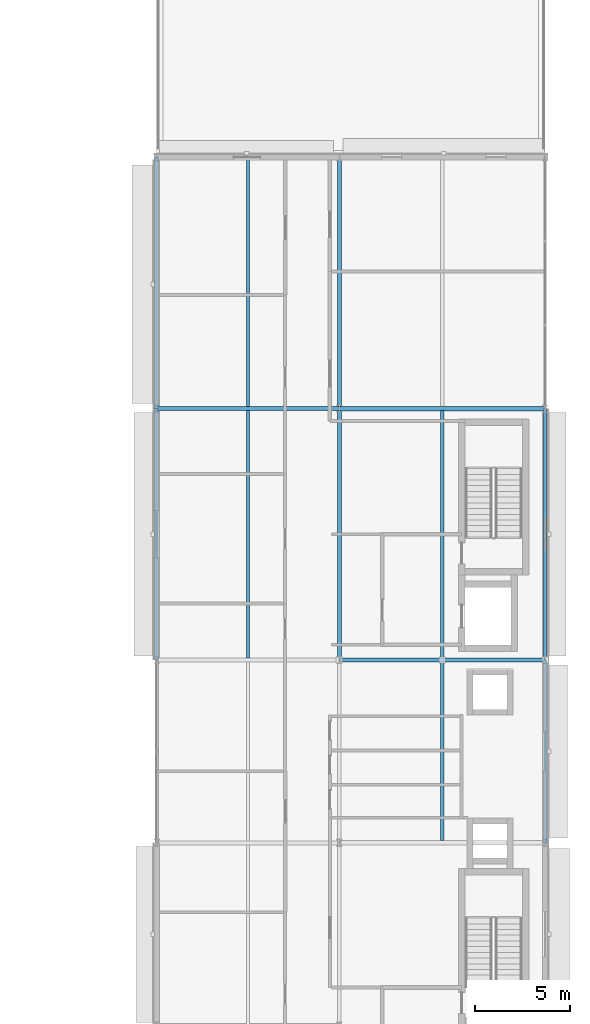
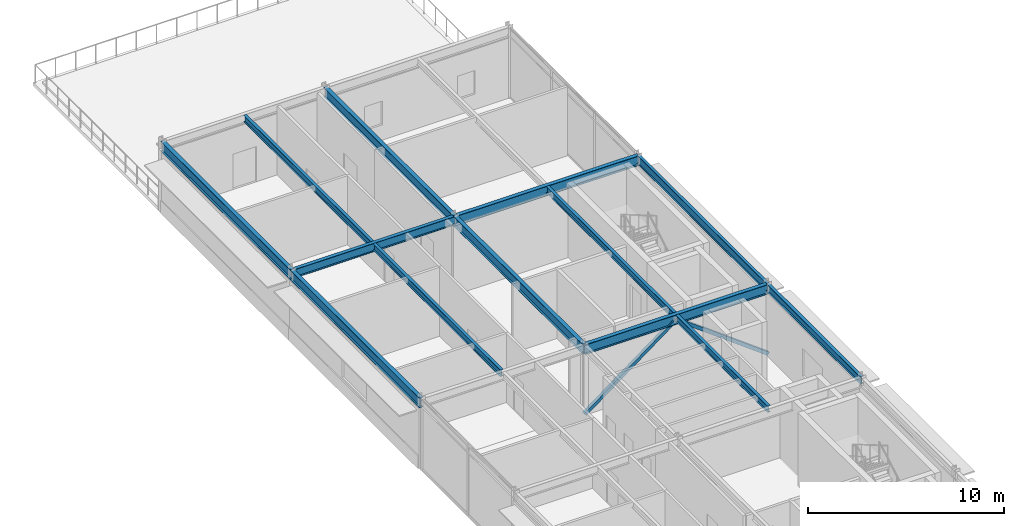
# One storey, part 8 of 22: 13 beams, 2 members.
"""IFC4 building model written with IfcOpenShell, lengths in metres."""

import ifcopenshell
import ifcopenshell.guid

model = None  # the IFC model being written
_history = None  # IfcOwnerHistory: only IFC2X3 demands one
_inside = {}  # id of a spatial element -> (the spatial element, [elements in it])
_under = {}  # id of a project, library or spatial element -> (it, [spatial elements below it])
_declared = {}  # id of a project -> (the project, [libraries it declares])
_typed = {}  # id of a type object -> (the type object, [elements of that type])
_made_of = {}  # id of a material, layer set ... -> (it, [elements and type objects made of it])


def new_model(schema):
    """Start an empty IFC model of exactly this schema.

    Asked for "IFC4X3", IfcOpenShell would pick the latest addendum, in which some entities
    have other attributes; the version numbers below select the first issue.
    IFC2X3 requires an IfcOwnerHistory on every rooted entity: one is made here for all.
    """
    global model, _history
    if schema == "IFC4X3":
        model = ifcopenshell.file(schema_version=(4, 3, 0, 0))
    else:
        model = ifcopenshell.file(schema=schema)
    _inside.clear()
    _under.clear()
    _declared.clear()
    _typed.clear()
    _made_of.clear()
    _history = None
    if model.schema == "IFC2X3":
        org = make("IfcOrganization", Name="unknown")
        user = make(
            "IfcPersonAndOrganization",
            ThePerson=make("IfcPerson", FamilyName="unknown"),
            TheOrganization=org,
        )
        app = make(
            "IfcApplication",
            ApplicationDeveloper=org,
            Version="unknown",
            ApplicationFullName="unknown",
            ApplicationIdentifier="unknown",
        )
        _history = make(
            "IfcOwnerHistory",
            OwningUser=user,
            OwningApplication=app,
            ChangeAction="ADDED",
            CreationDate=0,
        )
    return model


def make(cls, **values):
    """One entity of the class cls with the attributes given. An attribute that is None is left unset."""
    return model.create_entity(
        cls, **{name: value for name, value in values.items() if value is not None}
    )


def rooted(cls, **values):
    """An entity with a GlobalId (a new one), such as an element, a storey or a relation."""
    return make(cls, GlobalId=ifcopenshell.guid.new(), OwnerHistory=_history, **values)


def si_unit(unit_type, name, prefix=None):
    """IfcSIUnit, for example si_unit("LENGTHUNIT", "METRE", prefix="MILLI")."""
    return make("IfcSIUnit", UnitType=unit_type, Prefix=prefix, Name=name)


def assignment(units):
    """IfcUnitAssignment: the units of a project."""
    return None if units is None else make("IfcUnitAssignment", Units=units)


def point(xyz):
    """IfcCartesianPoint."""
    return None if xyz is None else make("IfcCartesianPoint", Coordinates=xyz)


def direction(xyz):
    """IfcDirection."""
    return None if xyz is None else make("IfcDirection", DirectionRatios=xyz)


def frame(location, z_axis=None, x_axis=None):
    """IfcAxis2Placement3D, a coordinate frame: its origin and axes. An axis left out is left unset."""
    return make(
        "IfcAxis2Placement3D",
        Location=point(location),
        Axis=direction(z_axis),
        RefDirection=direction(x_axis),
    )


def frame_2d(location, x_axis=None):
    """IfcAxis2Placement2D, a coordinate frame in the plane: its origin and x axis."""
    return make(
        "IfcAxis2Placement2D", Location=point(location), RefDirection=direction(x_axis)
    )


def origin():
    """The frame at (0, 0, 0) with its axes left unset."""
    return frame((0.0, 0.0, 0.0))


def origin_2d():
    """The frame at (0, 0) in the plane with its x axis left unset."""
    return frame_2d((0.0, 0.0))


def place(relative_to, where):
    """IfcLocalPlacement: puts the frame where relative to a parent placement (None: the world)."""
    return make(
        "IfcLocalPlacement", PlacementRelTo=relative_to, RelativePlacement=where
    )


def context(
    kind, dimensions, precision=None, world=None, true_north=None, identifier=None
):
    """IfcGeometricRepresentationContext, for example the 3D "Model" context."""
    return make(
        "IfcGeometricRepresentationContext",
        ContextIdentifier=identifier,
        ContextType=kind,
        CoordinateSpaceDimension=dimensions,
        Precision=precision,
        WorldCoordinateSystem=world,
        TrueNorth=true_north,
    )


def subcontext(parent, identifier, kind, view, scale=None):
    """IfcGeometricRepresentationSubContext, for example "Body" below "Model"."""
    return make(
        "IfcGeometricRepresentationSubContext",
        ContextIdentifier=identifier,
        ContextType=kind,
        ParentContext=parent,
        TargetScale=scale,
        TargetView=view,
    )


def project(units=None, contexts=None):
    """IfcProject with its units and contexts."""
    return rooted(
        "IfcProject",
        Name="project",
        RepresentationContexts=contexts,
        UnitsInContext=assignment(units),
    )


def spatial(cls, under=None, at=None, **own):
    """A site, building, storey or space (cls), placed at a placement, below another one or the project."""
    s = rooted(cls, ObjectPlacement=at, **own)
    if under is not None:
        _under.setdefault(under.id(), (under, []))[1].append(s)
    return s


def profile(cls, at=None, kind="AREA", **sizes):
    """A parametric profile (cls). Its sizes go by their IFC names, for example OverallWidth=200.0."""
    return make(cls, ProfileType=kind, Position=at, **sizes)


def hollow_rectangle(**sizes):
    """IfcRectangleHollowProfileDef."""
    return profile("IfcRectangleHollowProfileDef", **sizes)


def i_section(**sizes):
    """IfcIShapeProfileDef."""
    return profile("IfcIShapeProfileDef", **sizes)


def extrude(swept, where, along, depth):
    """IfcExtrudedAreaSolid: the profile swept, set in the frame where, extruded along a direction by depth."""
    return make(
        "IfcExtrudedAreaSolid",
        SweptArea=swept,
        Position=where,
        ExtrudedDirection=direction(along),
        Depth=depth,
    )


def shape(context_of_items, identifier, shape_type, items):
    """IfcShapeRepresentation: the items that make up one representation, for example the "Body"."""
    return make(
        "IfcShapeRepresentation",
        ContextOfItems=context_of_items,
        RepresentationIdentifier=identifier,
        RepresentationType=shape_type,
        Items=items,
    )


def material(Name=None, Category=None):
    """IfcMaterial."""
    return make("IfcMaterial", Name=Name, Category=Category)


def material_profile(
    of_material, cross_section, Name=None, Category=None, Priority=None
):
    """IfcMaterialProfile: a cross section and its material."""
    return make(
        "IfcMaterialProfile",
        Name=Name,
        Material=of_material,
        Profile=cross_section,
        Priority=Priority,
        Category=Category,
    )


def profile_set(profiles, Name=None, composite=None):
    """IfcMaterialProfileSet."""
    return make(
        "IfcMaterialProfileSet",
        Name=Name,
        MaterialProfiles=profiles,
        CompositeProfile=composite,
    )


def made_of(thing, what):
    """Note that an element or type object is made of a material, layer set ...; save() writes the relation."""
    if what is not None:
        _made_of.setdefault(what.id(), (what, []))[1].append(thing)
    return thing


def type_object(cls, material=None, **own):
    """A type object (cls), such as IfcWallType, which elements share."""
    return made_of(rooted(cls, **own), material)


def element(
    cls,
    number,
    at=None,
    inside=None,
    cuts=None,
    type_object=None,
    material=None,
    context=None,
    identifier="Body",
    shape_type=None,
    held_by="IfcProductDefinitionShape",
    body=None,
    shapes=None,
    **own,
):
    """One element of the class cls, such as IfcWall. Its Tag is "e" and its number.

    at: its placement. inside: the storey or other place that contains it. cuts: it is an
    opening in that element (IfcRelVoidsElement). A single representation is given by context,
    identifier, shape_type and body (its items); several are given by shapes. held_by: the class
    of the entity that holds the representations. save() writes the other relations.
    """
    e = rooted(cls, Tag="e%d" % number, ObjectPlacement=at, **own)
    if body is not None:
        shapes = [shape(context, identifier, shape_type, body)]
    if shapes is not None:
        e.Representation = make(held_by, Representations=shapes)
    if inside is not None:
        _inside.setdefault(inside.id(), (inside, []))[1].append(e)
    if cuts is not None:
        rooted(
            "IfcRelVoidsElement", RelatingBuildingElement=cuts, RelatedOpeningElement=e
        )
    if type_object is not None:
        _typed.setdefault(type_object.id(), (type_object, []))[1].append(e)
    return made_of(e, material)


def aggregate(whole, parts):
    """IfcRelAggregates: a whole, such as a stair, and the parts it consists of."""
    return rooted("IfcRelAggregates", RelatingObject=whole, RelatedObjects=parts)


def save(model, path):
    """Write the relations noted so far, then the file.

    IfcRelAggregates (storeys below a building ...), IfcRelContainedInSpatialStructure (elements
    in a storey), IfcRelDefinesByType, IfcRelAssociatesMaterial and IfcRelDeclares: one each for
    every whole, place, type object, material and project.
    """
    for whole, parts in _under.values():
        aggregate(whole, parts)
    for where, things in _inside.values():
        rooted(
            "IfcRelContainedInSpatialStructure",
            RelatedElements=things,
            RelatingStructure=where,
        )
    for kind, things in _typed.values():
        rooted("IfcRelDefinesByType", RelatedObjects=things, RelatingType=kind)
    for what, things in _made_of.values():
        rooted("IfcRelAssociatesMaterial", RelatedObjects=things, RelatingMaterial=what)
    for by, libraries in _declared.values():
        rooted("IfcRelDeclares", RelatingContext=by, RelatedDefinitions=libraries)
    model.write(path)


model = new_model("IFC4")

# Units and contexts
model_context = context("Model", 3, precision=1e-05, world=origin(), true_north=direction((0.0, 1.0)))
body_context = subcontext(model_context, "Body", "Model", "MODEL_VIEW")
ifc_project = project(units=[si_unit("LENGTHUNIT", "METRE"), si_unit("AREAUNIT", "SQUARE_METRE"), si_unit("VOLUMEUNIT", "CUBIC_METRE"), si_unit("PLANEANGLEUNIT", "RADIAN"), si_unit("MASSUNIT", "GRAM", prefix="KILO")], contexts=[model_context])

# Site, building, storey
site_placement = place(None, origin())
site = spatial("IfcSite", under=ifc_project, at=site_placement, CompositionType="ELEMENT")
building_placement = place(site_placement, origin())
building = spatial("IfcBuilding", under=site, at=building_placement, Name="Almandine Court Research Institute", CompositionType="ELEMENT")
storey_placement = place(building_placement, frame((0.0, 0.0, 28.0)))
storey = spatial("IfcBuildingStorey", under=building, at=storey_placement, Name="L06", CompositionType="ELEMENT", Elevation=28.0)

# Beams
ifc_material_1 = material(Name="Steel ASTM A992 Grade 50", Category="steel")
ifc_material_profile_1 = material_profile(ifc_material_1, i_section(OverallWidth=0.178955078125, OverallDepth=0.409912109375, WebThickness=0.009033203125, FlangeThickness=0.013916015625, at=origin_2d()), Name="W410x67")
ifc_profile_set_1 = profile_set([ifc_material_profile_1], Name="Steel ASTM A992 Grade 50")
beam_type_1 = type_object("IfcBeamType", Name="Beam-B-02", PredefinedType="JOIST", material=ifc_profile_set_1)
beam_1_placement = place(storey_placement, frame((168.60009765625, 34.9130859375, 4.179931640625), z_axis=(0.0, 1.0, 0.0), x_axis=(-1.0, 0.0, 0.0)))
element("IfcBeam", 1, at=beam_1_placement, inside=storey, type_object=beam_type_1, Name="L06 V4 Composite Secondary Beam", PredefinedType="JOIST", context=body_context, shape_type="SweptSolid", body=[
    extrude(i_section(OverallWidth=0.178955078125, OverallDepth=0.409912109375, WebThickness=0.009033203125, FlangeThickness=0.013916015625, at=origin_2d()), origin(), (0.0, 0.0, 1.0), 9.3740234375),
])
beam_2_placement = place(storey_placement, frame((158.39990234375, 44.5029296875, 4.179931640625), z_axis=(0.0, 1.0, 0.0), x_axis=(-1.0, 0.0, 0.0)))
element("IfcBeam", 2, at=beam_2_placement, inside=storey, type_object=beam_type_1, Name="L06 V4 Composite Secondary Beam", PredefinedType="JOIST", context=body_context, shape_type="SweptSolid", body=[
    extrude(i_section(OverallWidth=0.178955078125, OverallDepth=0.409912109375, WebThickness=0.009033203125, FlangeThickness=0.013916015625, at=origin_2d()), origin(), (0.0, 0.0, 1.0), 12.994140625),
])
beam_3_placement = place(storey_placement, frame((168.60009765625, 44.512939453125, 4.179931640625), z_axis=(0.0, 1.0, 0.0), x_axis=(-1.0, 0.0, 0.0)))
element("IfcBeam", 3, at=beam_3_placement, inside=storey, type_object=beam_type_1, Name="L06 V4 Composite Secondary Beam", PredefinedType="JOIST", context=body_context, shape_type="SweptSolid", body=[
    extrude(i_section(OverallWidth=0.178955078125, OverallDepth=0.409912109375, WebThickness=0.009033203125, FlangeThickness=0.013916015625, at=origin_2d()), origin(), (0.0, 0.0, 1.0), 12.97412109375),
])
beam_4_placement = place(storey_placement, frame((158.39990234375, 57.702880859375, 4.179931640625), z_axis=(0.0, 1.0, 0.0), x_axis=(-1.0, 0.0, 0.0)))
element("IfcBeam", 4, at=beam_4_placement, inside=storey, type_object=beam_type_1, Name="L06 V4 Composite Secondary Beam", PredefinedType="JOIST", context=body_context, shape_type="SweptSolid", body=[
    extrude(i_section(OverallWidth=0.178955078125, OverallDepth=0.409912109375, WebThickness=0.009033203125, FlangeThickness=0.013916015625, at=origin_2d()), origin(), (0.0, 0.0, 1.0), 12.994140625),
])
ifc_material_profile_2 = material_profile(ifc_material_1, i_section(OverallWidth=0.22998046875, OverallDepth=0.616943359375, WebThickness=0.012939453125, FlangeThickness=0.02197265625, at=origin_2d()), Name="W610x140")
ifc_profile_set_2 = profile_set([ifc_material_profile_2], Name="Steel ASTM A992 Grade 50")
beam_type_2 = type_object("IfcBeamType", Name="Beam-G-02", PredefinedType="BEAM", material=ifc_profile_set_2)
for number, where, z_axis, x_axis, name in (
    (5, (163.199951171875, 44.39990234375, 4.075927734375), (1.0, 0.0, 0.0), (0.0, 1.0, 0.0), "L06 V4 Primary X Girder"),
    (6, (163.199951171875, 57.60009765625, 4.075927734375), (1.0, 0.0, 0.0), (0.0, 1.0, 0.0), "L06 V4 Primary X Girder"),
):
    element("IfcBeam", number, at=place(storey_placement, frame(where, z_axis=z_axis, x_axis=x_axis)), inside=storey, type_object=beam_type_2, Name=name, PredefinedType="BEAM", context=body_context, shape_type="SweptSolid", body=[
        extrude(i_section(OverallWidth=0.22998046875, OverallDepth=0.616943359375, WebThickness=0.012939453125, FlangeThickness=0.02197265625, at=origin_2d()), origin(), (0.0, 0.0, 1.0), 10.800048828125),
    ])
ifc_material_profile_3 = material_profile(ifc_material_1, i_section(OverallWidth=0.22802734375, OverallDepth=0.60791015625, WebThickness=0.010986328125, FlangeThickness=0.01708984375, at=origin_2d()), Name="W610x113")
ifc_profile_set_3 = profile_set([ifc_material_profile_3], Name="Steel ASTM A992 Grade 50")
beam_type_3 = type_object("IfcBeamType", Name="Beam-G-03", PredefinedType="BEAM", material=ifc_profile_set_3)
for number, where, z_axis, x_axis, name in (
    (7, (153.60009765625, 44.39990234375, 4.0810546875), (0.0, 1.0, 0.0), (-1.0, 0.0, 0.0), "L06 V4 Primary Y Girder"),
    (8, (163.199951171875, 44.39990234375, 4.0810546875), (0.0, 1.0, 0.0), (-1.0, 0.0, 0.0), "L06 V4 Primary Y Girder"),
):
    element("IfcBeam", number, at=place(storey_placement, frame(where, z_axis=z_axis, x_axis=x_axis)), inside=storey, type_object=beam_type_3, Name=name, PredefinedType="BEAM", context=body_context, shape_type="SweptSolid", body=[
        extrude(i_section(OverallWidth=0.22802734375, OverallDepth=0.60791015625, WebThickness=0.010986328125, FlangeThickness=0.01708984375, at=origin_2d()), origin(), (0.0, 0.0, 1.0), 13.2001953125),
    ])
for number, where, z_axis, x_axis, name in (
    (9, (153.60009765625, 57.60009765625, 4.0810546875), (0.0, 1.0, 0.0), (-1.0, 0.0, 0.0), "L06 V4 Primary Y Girder"),
    (10, (163.199951171875, 57.60009765625, 4.0810546875), (0.0, 1.0, 0.0), (-1.0, 0.0, 0.0), "L06 V4 Primary Y Girder"),
):
    element("IfcBeam", number, at=place(storey_placement, frame(where, z_axis=z_axis, x_axis=x_axis)), inside=storey, type_object=beam_type_3, Name=name, PredefinedType="BEAM", context=body_context, shape_type="SweptSolid", body=[
        extrude(i_section(OverallWidth=0.22802734375, OverallDepth=0.60791015625, WebThickness=0.010986328125, FlangeThickness=0.01708984375, at=origin_2d()), origin(), (0.0, 0.0, 1.0), 13.199951171875),
    ])
ifc_material_profile_4 = material_profile(ifc_material_1, i_section(OverallWidth=0.2109375, OverallDepth=0.5390625, WebThickness=0.011962890625, FlangeThickness=0.01904296875, at=origin_2d()), Name="W530x109")
ifc_profile_set_4 = profile_set([ifc_material_profile_4], Name="Steel ASTM A992 Grade 50")
beam_type_4 = type_object("IfcBeamType", Name="Beam-G-04", PredefinedType="BEAM", material=ifc_profile_set_4)
beam_5_placement = place(storey_placement, frame((153.60009765625, 57.60009765625, 4.114990234375), z_axis=(1.0, 0.0, 0.0), x_axis=(0.0, 1.0, 0.0)))
element("IfcBeam", 11, at=beam_5_placement, inside=storey, type_object=beam_type_4, Name="L06 V4 Primary X Girder", PredefinedType="BEAM", context=body_context, shape_type="SweptSolid", body=[
    extrude(i_section(OverallWidth=0.2109375, OverallDepth=0.5390625, WebThickness=0.011962890625, FlangeThickness=0.01904296875, at=origin_2d()), origin(), (0.0, 0.0, 1.0), 9.599853515625),
])
ifc_material_profile_5 = material_profile(ifc_material_1, i_section(OverallWidth=0.166015625, OverallDepth=0.534912109375, WebThickness=0.010009765625, FlangeThickness=0.01708984375, at=origin_2d()), Name="W530x85")
ifc_profile_set_5 = profile_set([ifc_material_profile_5], Name="Steel ASTM A992 Grade 50")
beam_type_5 = type_object("IfcBeamType", Name="Beam-G-05-E", PredefinedType="SPANDREL", material=ifc_profile_set_5)
beam_6_placement = place(storey_placement, frame((174.0, 44.39990234375, 4.116943359375), z_axis=(0.0, 1.0, 0.0), x_axis=(-1.0, 0.0, 0.0)))
element("IfcBeam", 12, at=beam_6_placement, inside=storey, type_object=beam_type_5, Name="L06 V4 Primary Y Girder", PredefinedType="SPANDREL", context=body_context, shape_type="SweptSolid", body=[
    extrude(i_section(OverallWidth=0.166015625, OverallDepth=0.534912109375, WebThickness=0.010009765625, FlangeThickness=0.01708984375, at=origin_2d()), origin(), (0.0, 0.0, 1.0), 13.2001953125),
])
ifc_material_profile_6 = material_profile(ifc_material_1, i_section(OverallWidth=0.193115234375, OverallDepth=0.466064453125, WebThickness=0.010986328125, FlangeThickness=0.01904296875, at=origin_2d()), Name="W460x97")
ifc_profile_set_6 = profile_set([ifc_material_profile_6], Name="Steel ASTM A992 Grade 50")
beam_type_6 = type_object("IfcBeamType", Name="Beam-G-06-E", PredefinedType="SPANDREL", material=ifc_profile_set_6)
beam_7_placement = place(storey_placement, frame((174.0, 34.800048828125, 4.152099609375), z_axis=(0.0, 1.0, 0.0), x_axis=(-1.0, 0.0, 0.0)))
element("IfcBeam", 13, at=beam_7_placement, inside=storey, type_object=beam_type_6, Name="L06 V4 Primary Y Girder", PredefinedType="SPANDREL", context=body_context, shape_type="SweptSolid", body=[
    extrude(i_section(OverallWidth=0.193115234375, OverallDepth=0.466064453125, WebThickness=0.010986328125, FlangeThickness=0.01904296875, at=origin_2d()), origin(), (0.0, 0.0, 1.0), 9.599853515625),
])

# Members
ifc_material_2 = material(Name="Steel ASTM A500 Grade C", Category="steel")
ifc_material_profile_7 = material_profile(ifc_material_2, hollow_rectangle(XDim=0.199951171875, YDim=0.199951171875, WallThickness=0.008056640625, at=origin_2d()), Name="HSS 200x200x8")
ifc_profile_set_7 = profile_set([ifc_material_profile_7], Name="Steel ASTM A500 Grade C")
member_type = type_object("IfcMemberType", Name="Mem-BF-BR2", PredefinedType="BRACE", material=ifc_profile_set_7)
for number, where, z_axis, x_axis, name in (
    (14, (163.199951171875, 44.39990234375, 0.02001953125), (0.801428188232, 0.0, 0.598091012394), (0.0, 1.0, 0.0), "L06 Seismic Chevron Brace V4-BF2 Left"),
    (15, (174.0, 44.39990234375, 0.02001953125), (-0.801415226812, 0.0, 0.598108380007), (0.0, -1.0, 0.0), "L06 Seismic Chevron Brace V4-BF2 Right"),
):
    element("IfcMember", number, at=place(storey_placement, frame(where, z_axis=z_axis, x_axis=x_axis)), inside=storey, type_object=member_type, Name=name, PredefinedType="BRACE", context=body_context, shape_type="SweptSolid", body=[
        extrude(hollow_rectangle(XDim=0.199951171875, YDim=0.199951171875, WallThickness=0.008056640625, at=origin_2d()), origin(), (0.0, 0.0, 1.0), 6.738037109375),
    ])

save(model, "model.ifc")
